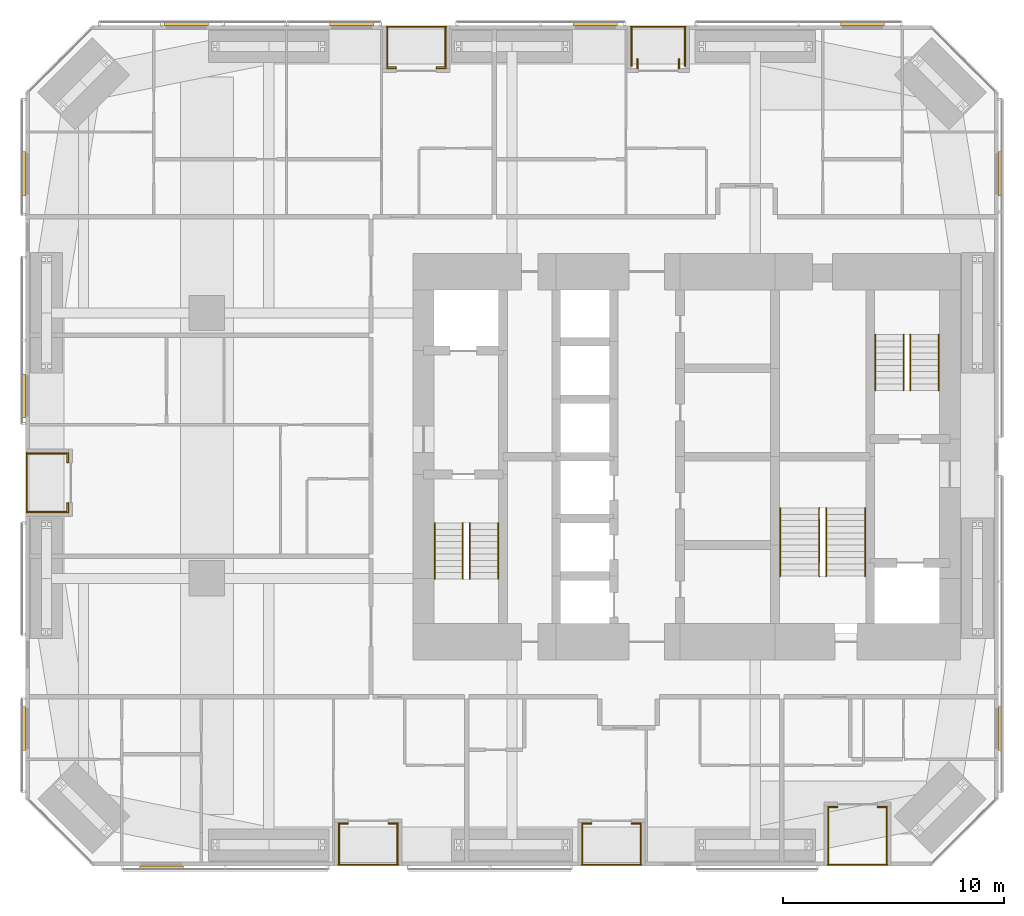
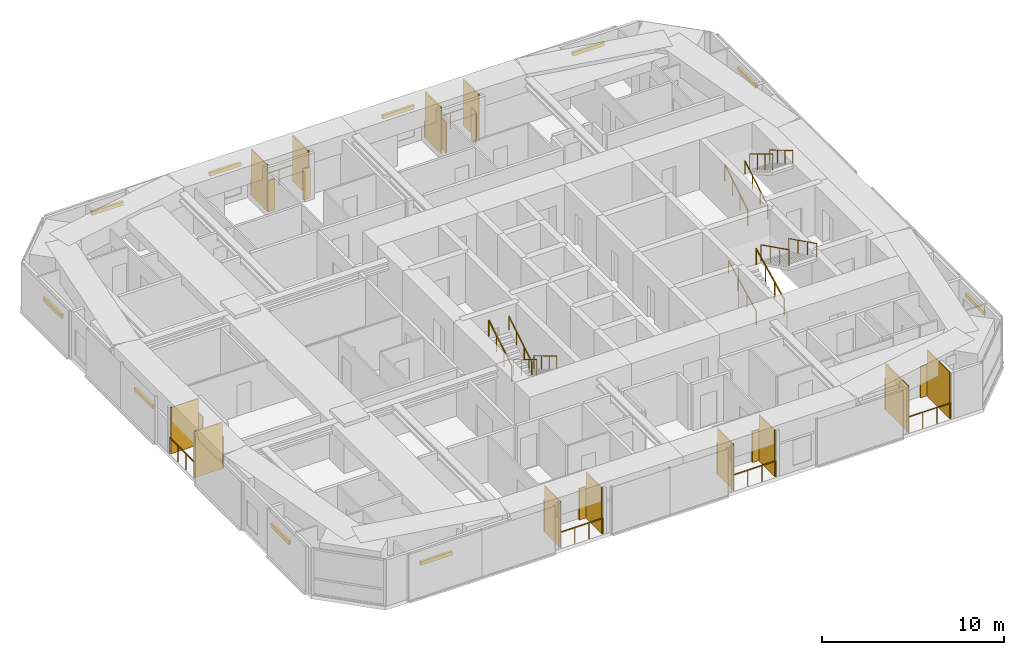
# One storey, part 23 of 23: 34 shading devices, 18 railings.
"""IFC4 building model written with IfcOpenShell, lengths in metres."""

from ifc_helpers import new_model, si_unit, direction, frame, origin, origin_2d, place, context, subcontext, project, spatial, rectangle, circle, extrude, material, layer, layer_set, constituent, constituent_set, type_object, element, save


model = new_model("IFC4")

# Units and contexts
model_context = context("Model", 3, precision=1e-05, world=origin(), true_north=direction((0.0, 1.0)))
body_context = subcontext(model_context, "Body", "Model", "MODEL_VIEW")
ifc_project = project(units=[si_unit("LENGTHUNIT", "METRE"), si_unit("AREAUNIT", "SQUARE_METRE"), si_unit("VOLUMEUNIT", "CUBIC_METRE"), si_unit("PLANEANGLEUNIT", "RADIAN"), si_unit("MASSUNIT", "GRAM", prefix="KILO")], contexts=[model_context])

# Site, building, storey
site_placement = place(None, origin())
site = spatial("IfcSite", under=ifc_project, at=site_placement, CompositionType="ELEMENT")
building_placement = place(site_placement, origin())
building = spatial("IfcBuilding", under=site, at=building_placement, Name="Jalousie Tower", CompositionType="ELEMENT")
storey_placement = place(building_placement, frame((0.0, 0.0, 41.10009765625)))
storey = spatial("IfcBuildingStorey", under=building, at=storey_placement, Name="L10", CompositionType="ELEMENT", Elevation=41.10009765625)

# Shading devices
ifc_material_1 = material(Name="Aluminium impact-rated louvred storm shutter", Category="aluminium")
shading_device_type_1 = type_object("IfcShadingDeviceType", Name="BI-FOLD STORM SHUTTER 900x2100", PredefinedType="SHUTTER", material=ifc_material_1)
for number, where, z_axis, x_axis, name in (
    (1, (16.375, 1.909912109375, -0.000244140625), (0.0, 0.0, 1.0), (1.0, 0.0, 0.0), "Loggia storm shutter L10"),
    (2, (18.625, 1.909912109375, -0.000244140625), (0.0, 0.0, 1.0), (1.0, 0.0, 0.0), "Loggia storm shutter L10"),
    (3, (27.375, 1.909912109375, -0.000244140625), (0.0, 0.0, 1.0), (1.0, 0.0, 0.0), "Loggia storm shutter L10"),
    (4, (29.625, 1.909912109375, -0.000244140625), (0.0, 0.0, 1.0), (1.0, 0.0, 0.0), "Loggia storm shutter L10"),
    (5, (38.5, 2.659912109375, -0.000244140625), (0.0, 0.0, 1.0), (1.0, 0.0, 0.0), "Loggia storm shutter L10"),
    (6, (40.75, 2.659912109375, -0.000244140625), (0.0, 0.0, 1.0), (1.0, 0.0, 0.0), "Loggia storm shutter L10"),
    (7, (31.552490234375, 36.27490234375, -0.000244140625), (0.0, 0.0, 1.0), (0.0, -1.0, 0.0), "Loggia storm shutter L10"),
    (8, (29.672607421875, 36.27490234375, -0.000244140625), (0.0, 0.0, 1.0), (0.0, -1.0, 0.0), "Loggia storm shutter L10"),
    (9, (20.800048828125, 36.090087890625, -0.000244140625), (0.0, 0.0, 1.0), (-1.0, 0.0, 0.0), "Loggia storm shutter L10"),
    (10, (18.550048828125, 36.090087890625, -0.000244140625), (0.0, 0.0, 1.0), (-1.0, 0.0, 0.0), "Loggia storm shutter L10"),
    (11, (3.909912109375, 18.449951171875, -0.000244140625), (0.0, 0.0, 1.0), (0.0, -1.0, 0.0), "Loggia storm shutter L10"),
    (12, (3.909912109375, 16.199951171875, -0.000244140625), (0.0, 0.0, 1.0), (0.0, -1.0, 0.0), "Loggia storm shutter L10"),
):
    element("IfcShadingDevice", number, at=place(storey_placement, frame(where, z_axis=z_axis, x_axis=x_axis)), inside=storey, type_object=shading_device_type_1, Name=name, PredefinedType="SHUTTER", context=body_context, shape_type="SweptSolid", body=[
        extrude(rectangle(XDim=0.449951171875, YDim=0.080078125, at=origin_2d()), origin(), (0.0, 0.0, 1.0), 2.10009765625),
    ])

# Railings
ifc_material_2 = material(Name="Powder-coated aluminium fretwork", Category="aluminium")
railing_type_1 = type_object("IfcRailingType", Name="FRETWORK BALUSTRADE 1100", PredefinedType="BALUSTRADE", material=ifc_material_2)
for number, where, name in (
    (13, (16.14990234375, 0.050048828125, 0.0), "Loggia fretwork balustrade L10"),
    (14, (27.14990234375, 0.050048828125, 0.0), "Loggia fretwork balustrade L10"),
    (15, (38.27490234375, 0.050048828125, 0.0), "Loggia fretwork balustrade L10"),
):
    element("IfcRailing", number, at=place(storey_placement, frame(where)), inside=storey, type_object=railing_type_1, Name=name, PredefinedType="BALUSTRADE", context=body_context, shape_type="SweptSolid", body=[
        extrude(rectangle(XDim=0.048095703125, YDim=0.048095703125, at=origin_2d()), frame((0.0, 0.0, 1.076171875), z_axis=(1.0, 0.0, 0.0), x_axis=(0.0, 1.0, 0.0)), (0.0, 0.0, 1.0), 2.7001953125),
        extrude(circle(Radius=0.02099609375, at=origin_2d()), origin(), (0.0, 0.0, 1.0), 1.052001953125),
        extrude(circle(Radius=0.02099609375, at=origin_2d()), frame((0.900146484375, 0.0, 0.0)), (0.0, 0.0, 1.0), 1.052001953125),
        extrude(circle(Radius=0.02099609375, at=origin_2d()), frame((1.800048828125, 0.0, 0.0)), (0.0, 0.0, 1.0), 1.052001953125),
        extrude(circle(Radius=0.02099609375, at=origin_2d()), frame((2.7001953125, 0.0, 0.0)), (0.0, 0.0, 1.0), 1.052001953125),
    ])
railing_1_placement = place(storey_placement, frame((31.85009765625, 37.949951171875, 0.0)))
element("IfcRailing", 16, at=railing_1_placement, inside=storey, type_object=railing_type_1, Name="Loggia fretwork balustrade L10", PredefinedType="BALUSTRADE", context=body_context, shape_type="SweptSolid", body=[
    extrude(rectangle(XDim=0.048095703125, YDim=0.048095703125, at=origin_2d()), frame((0.0, 0.0, 1.076171875), z_axis=(-1.0, 0.0, 0.0), x_axis=(0.0, -1.0, 0.0)), (0.0, 0.0, 1.0), 2.47509765625),
    extrude(circle(Radius=0.02099609375, at=origin_2d()), origin(), (0.0, 0.0, 1.0), 1.052001953125),
    extrude(circle(Radius=0.02099609375, at=origin_2d()), frame((-0.824951171875, 0.0, 0.0)), (0.0, 0.0, 1.0), 1.052001953125),
    extrude(circle(Radius=0.02099609375, at=origin_2d()), frame((-1.650146484375, 0.0, 0.0)), (0.0, 0.0, 1.0), 1.052001953125),
    extrude(circle(Radius=0.02099609375, at=origin_2d()), frame((-2.47509765625, 0.0, 0.0)), (0.0, 0.0, 1.0), 1.052001953125),
])
railing_2_placement = place(storey_placement, frame((21.02490234375, 37.949951171875, 0.0)))
element("IfcRailing", 17, at=railing_2_placement, inside=storey, type_object=railing_type_1, Name="Loggia fretwork balustrade L10", PredefinedType="BALUSTRADE", context=body_context, shape_type="SweptSolid", body=[
    extrude(rectangle(XDim=0.048095703125, YDim=0.048095703125, at=origin_2d()), frame((0.0, 0.0, 1.076171875), z_axis=(-1.0, 0.0, 0.0), x_axis=(0.0, -1.0, 0.0)), (0.0, 0.0, 1.0), 2.699951171875),
    extrude(circle(Radius=0.02099609375, at=origin_2d()), origin(), (0.0, 0.0, 1.0), 1.052001953125),
    extrude(circle(Radius=0.02099609375, at=origin_2d()), frame((-0.89990234375, 0.0, 0.0)), (0.0, 0.0, 1.0), 1.052001953125),
    extrude(circle(Radius=0.02099609375, at=origin_2d()), frame((-1.800048828125, 0.0, 0.0)), (0.0, 0.0, 1.0), 1.052001953125),
    extrude(circle(Radius=0.02099609375, at=origin_2d()), frame((-2.699951171875, 0.0, 0.0)), (0.0, 0.0, 1.0), 1.052001953125),
])
railing_3_placement = place(storey_placement, frame((2.050048828125, 18.675048828125, 0.0)))
element("IfcRailing", 18, at=railing_3_placement, inside=storey, type_object=railing_type_1, Name="Loggia fretwork balustrade L10", PredefinedType="BALUSTRADE", context=body_context, shape_type="SweptSolid", body=[
    extrude(rectangle(XDim=0.048095703125, YDim=0.048095703125, at=origin_2d()), frame((0.0, 0.0, 1.076171875), z_axis=(0.0, -1.0, 0.0), x_axis=(1.0, 0.0, 0.0)), (0.0, 0.0, 1.0), 2.699951171875),
    extrude(circle(Radius=0.02099609375, at=origin_2d()), origin(), (0.0, 0.0, 1.0), 1.052001953125),
    extrude(circle(Radius=0.02099609375, at=origin_2d()), frame((0.0, -0.89990234375, 0.0)), (0.0, 0.0, 1.0), 1.052001953125),
    extrude(circle(Radius=0.02099609375, at=origin_2d()), frame((0.0, -1.800048828125, 0.0)), (0.0, 0.0, 1.0), 1.052001953125),
    extrude(circle(Radius=0.02099609375, at=origin_2d()), frame((0.0, -2.699951171875, 0.0)), (0.0, 0.0, 1.0), 1.052001953125),
])

# Shading devices
ifc_material_3 = material(Name="Powder-coated aluminium louvres", Category="aluminium")
ifc_layer = layer(ifc_material_3, 0.06005859375)
ifc_layer_set = layer_set([ifc_layer], Name="Powder-coated aluminium louvres")
shading_device_type_2 = type_object("IfcShadingDeviceType", Name="JALOUSIE LOUVRE SCREEN", PredefinedType="JALOUSIE", material=ifc_layer_set)
for number, where, z_axis, x_axis, name in (
    (19, (16.179931640625, 0.97509765625, 0.0), (0.0, 0.0, 1.0), (1.0, 0.0, 0.0), "Loggia jalousie louvre screen L10"),
    (20, (18.820068359375, 0.97509765625, 0.0), (0.0, 0.0, 1.0), (1.0, 0.0, 0.0), "Loggia jalousie louvre screen L10"),
    (21, (27.179931640625, 0.97509765625, 0.0), (0.0, 0.0, 1.0), (1.0, 0.0, 0.0), "Loggia jalousie louvre screen L10"),
    (22, (29.820068359375, 0.97509765625, 0.0), (0.0, 0.0, 1.0), (1.0, 0.0, 0.0), "Loggia jalousie louvre screen L10"),
):
    element("IfcShadingDevice", number, at=place(storey_placement, frame(where, z_axis=z_axis, x_axis=x_axis)), inside=storey, type_object=shading_device_type_2, Name=name, PredefinedType="JALOUSIE", context=body_context, shape_type="SweptSolid", body=[
        extrude(rectangle(XDim=0.06005859375, YDim=1.75, at=origin_2d()), origin(), (0.0, 0.0, 1.0), 3.110107421875),
    ])
for number, where, z_axis, x_axis, name in (
    (23, (38.304931640625, 1.35009765625, 0.0), (0.0, 0.0, 1.0), (1.0, 0.0, 0.0), "Loggia jalousie louvre screen L10"),
    (24, (40.945068359375, 1.35009765625, 0.0), (0.0, 0.0, 1.0), (1.0, 0.0, 0.0), "Loggia jalousie louvre screen L10"),
):
    element("IfcShadingDevice", number, at=place(storey_placement, frame(where, z_axis=z_axis, x_axis=x_axis)), inside=storey, type_object=shading_device_type_2, Name=name, PredefinedType="JALOUSIE", context=body_context, shape_type="SweptSolid", body=[
        extrude(rectangle(XDim=0.06005859375, YDim=2.5, at=origin_2d()), origin(), (0.0, 0.0, 1.0), 3.110107421875),
    ])
for number, where, z_axis, x_axis, name in (
    (25, (31.820068359375, 37.02490234375, 0.0), (0.0, 0.0, 1.0), (-1.0, 0.0, 0.0), "Loggia jalousie louvre screen L10"),
    (26, (29.405029296875, 37.02490234375, 0.0), (0.0, 0.0, 1.0), (-1.0, 0.0, 0.0), "Loggia jalousie louvre screen L10"),
    (27, (20.9951171875, 37.02490234375, 0.0), (0.0, 0.0, 1.0), (-1.0, 0.0, 0.0), "Loggia jalousie louvre screen L10"),
    (28, (18.35498046875, 37.02490234375, 0.0), (0.0, 0.0, 1.0), (-1.0, 0.0, 0.0), "Loggia jalousie louvre screen L10"),
    (29, (2.97509765625, 18.64501953125, 0.0), (0.0, 0.0, 1.0), (0.0, -1.0, 0.0), "Loggia jalousie louvre screen L10"),
    (30, (2.97509765625, 16.0048828125, 0.0), (0.0, 0.0, 1.0), (0.0, -1.0, 0.0), "Loggia jalousie louvre screen L10"),
):
    element("IfcShadingDevice", number, at=place(storey_placement, frame(where, z_axis=z_axis, x_axis=x_axis)), inside=storey, type_object=shading_device_type_2, Name=name, PredefinedType="JALOUSIE", context=body_context, shape_type="SweptSolid", body=[
        extrude(rectangle(XDim=0.06005859375, YDim=1.75, at=origin_2d()), origin(), (0.0, 0.0, 1.0), 3.110107421875),
    ])

# Railings
ifc_material_4 = material(Name="Steel ASTM A500 Grade C", Category="steel")
ifc_constituent_1 = constituent(ifc_material_4, Name="Body")
ifc_material_5 = material(Name="Hot-dip galvanised zinc coating")
ifc_constituent_2 = constituent(ifc_material_5, Name="Finish")
ifc_constituent_set_1 = constituent_set(constituents=[ifc_constituent_1, ifc_constituent_2])
railing_type_2 = type_object("IfcRailingType", Name="STAIR GUARD 1100", PredefinedType="GUARDRAIL", material=ifc_constituent_set_1)
railing_4_placement = place(storey_placement, frame((22.092529296875, 15.49755859375, 0.16748046875)))
element("IfcRailing", 31, at=railing_4_placement, inside=storey, type_object=railing_type_2, Name="Exit stair A guard L10 flight 1", PredefinedType="GUARDRAIL", context=body_context, shape_type="SweptSolid", body=[
    extrude(rectangle(XDim=0.048095703125, YDim=0.048095703125, at=origin_2d()), frame((0.0, 0.0, 1.076171875), z_axis=(0.0, -0.858196387827, 0.513321497621), x_axis=(1.0, 0.0, 0.0)), (0.0, 0.0, 1.0), 2.9365234375),
    extrude(circle(Radius=0.02099609375, at=origin_2d()), origin(), (0.0, 0.0, 1.0), 1.052001953125),
    extrude(circle(Radius=0.02099609375, at=origin_2d()), frame((0.0, -0.840087890625, 0.50244140625)), (0.0, 0.0, 1.0), 1.052001953125),
    extrude(circle(Radius=0.02099609375, at=origin_2d()), frame((0.0, -1.679931640625, 1.0048828125)), (0.0, 0.0, 1.0), 1.052001953125),
    extrude(circle(Radius=0.02099609375, at=origin_2d()), frame((0.0, -2.52001953125, 1.50732421875)), (0.0, 0.0, 1.0), 1.052001953125),
])
railing_5_placement = place(storey_placement, frame((20.5048828125, 12.9775390625, 1.84228515625)))
element("IfcRailing", 32, at=railing_5_placement, inside=storey, type_object=railing_type_2, Name="Exit stair A guard L10 flight 2", PredefinedType="GUARDRAIL", context=body_context, shape_type="SweptSolid", body=[
    extrude(rectangle(XDim=0.048095703125, YDim=0.048095703125, at=origin_2d()), frame((0.0, 0.0, 1.076171875), z_axis=(0.0, 0.858159760407, 0.513382728203), x_axis=(-1.0, 0.0, 0.0)), (0.0, 0.0, 1.0), 2.9365234375),
    extrude(circle(Radius=0.02099609375, at=origin_2d()), origin(), (0.0, 0.0, 1.0), 1.052001953125),
    extrude(circle(Radius=0.02099609375, at=origin_2d()), frame((0.0, 0.840087890625, 0.50244140625)), (0.0, 0.0, 1.0), 1.052001953125),
    extrude(circle(Radius=0.02099609375, at=origin_2d()), frame((0.0, 1.679931640625, 1.005126953125)), (0.0, 0.0, 1.0), 1.052001953125),
    extrude(circle(Radius=0.02099609375, at=origin_2d()), frame((0.0, 2.52001953125, 1.507568359375)), (0.0, 0.0, 1.0), 1.052001953125),
])
railing_6_placement = place(storey_placement, frame((40.43017578125, 21.50244140625, 0.16748046875)))
element("IfcRailing", 33, at=railing_6_placement, inside=storey, type_object=railing_type_2, Name="Exit stair B guard L10 flight 1", PredefinedType="GUARDRAIL", context=body_context, shape_type="SweptSolid", body=[
    extrude(rectangle(XDim=0.048095703125, YDim=0.048095703125, at=origin_2d()), frame((0.0, 0.0, 1.076171875), z_axis=(0.0, 0.858196387827, 0.513321497621), x_axis=(-1.0, 0.0, 0.0)), (0.0, 0.0, 1.0), 2.9365234375),
    extrude(circle(Radius=0.02099609375, at=origin_2d()), origin(), (0.0, 0.0, 1.0), 1.052001953125),
    extrude(circle(Radius=0.02099609375, at=origin_2d()), frame((0.0, 0.840087890625, 0.50244140625)), (0.0, 0.0, 1.0), 1.052001953125),
    extrude(circle(Radius=0.02099609375, at=origin_2d()), frame((0.0, 1.679931640625, 1.0048828125)), (0.0, 0.0, 1.0), 1.052001953125),
    extrude(circle(Radius=0.02099609375, at=origin_2d()), frame((0.0, 2.52001953125, 1.50732421875)), (0.0, 0.0, 1.0), 1.052001953125),
])
railing_7_placement = place(storey_placement, frame((42.017578125, 24.0224609375, 1.84228515625)))
element("IfcRailing", 34, at=railing_7_placement, inside=storey, type_object=railing_type_2, Name="Exit stair B guard L10 flight 2", PredefinedType="GUARDRAIL", context=body_context, shape_type="SweptSolid", body=[
    extrude(rectangle(XDim=0.048095703125, YDim=0.048095703125, at=origin_2d()), frame((0.0, 0.0, 1.076171875), z_axis=(0.0, -0.858159760407, 0.513382728203), x_axis=(1.0, 0.0, 0.0)), (0.0, 0.0, 1.0), 2.9365234375),
    extrude(circle(Radius=0.02099609375, at=origin_2d()), origin(), (0.0, 0.0, 1.0), 1.052001953125),
    extrude(circle(Radius=0.02099609375, at=origin_2d()), frame((0.0, -0.840087890625, 0.50244140625)), (0.0, 0.0, 1.0), 1.052001953125),
    extrude(circle(Radius=0.02099609375, at=origin_2d()), frame((0.0, -1.679931640625, 1.005126953125)), (0.0, 0.0, 1.0), 1.052001953125),
    extrude(circle(Radius=0.02099609375, at=origin_2d()), frame((0.0, -2.52001953125, 1.507568359375)), (0.0, 0.0, 1.0), 1.052001953125),
])
railing_8_placement = place(storey_placement, frame((37.89501953125, 13.097412109375, 0.139404296875)))
element("IfcRailing", 35, at=railing_8_placement, inside=storey, type_object=railing_type_2, Name="Exit stair C guard L10 flight 1", PredefinedType="GUARDRAIL", context=body_context, shape_type="SweptSolid", body=[
    extrude(rectangle(XDim=0.048095703125, YDim=0.048095703125, at=origin_2d()), frame((0.0, 0.0, 1.076171875), z_axis=(0.0, 0.894965676997, 0.446134998624), x_axis=(-1.0, 0.0, 0.0)), (0.0, 0.0, 1.0), 3.441650390625),
    extrude(circle(Radius=0.02099609375, at=origin_2d()), origin(), (0.0, 0.0, 1.0), 1.052001953125),
    extrude(circle(Radius=0.02099609375, at=origin_2d()), frame((0.0, 1.026611328125, 0.51171875)), (0.0, 0.0, 1.0), 1.052001953125),
    extrude(circle(Radius=0.02099609375, at=origin_2d()), frame((0.0, 2.053466796875, 1.023681640625)), (0.0, 0.0, 1.0), 1.052001953125),
    extrude(circle(Radius=0.02099609375, at=origin_2d()), frame((0.0, 3.080078125, 1.535400390625)), (0.0, 0.0, 1.0), 1.052001953125),
])
railing_9_placement = place(storey_placement, frame((38.205078125, 16.177490234375, 1.814453125)))
element("IfcRailing", 36, at=railing_9_placement, inside=storey, type_object=railing_type_2, Name="Exit stair C guard L10 flight 2", PredefinedType="GUARDRAIL", context=body_context, shape_type="SweptSolid", body=[
    extrude(rectangle(XDim=0.048095703125, YDim=0.048095703125, at=origin_2d()), frame((0.0, 0.0, 1.076171875), z_axis=(0.0, -0.894965676997, 0.446134998624), x_axis=(1.0, 0.0, 0.0)), (0.0, 0.0, 1.0), 3.441650390625),
    extrude(circle(Radius=0.02099609375, at=origin_2d()), origin(), (0.0, 0.0, 1.0), 1.052001953125),
    extrude(circle(Radius=0.02099609375, at=origin_2d()), frame((0.0, -1.026611328125, 0.51171875)), (0.0, 0.0, 1.0), 1.052001953125),
    extrude(circle(Radius=0.02099609375, at=origin_2d()), frame((0.0, -2.053466796875, 1.023681640625)), (0.0, 0.0, 1.0), 1.052001953125),
    extrude(circle(Radius=0.02099609375, at=origin_2d()), frame((0.0, -3.080078125, 1.535400390625)), (0.0, 0.0, 1.0), 1.052001953125),
])
ifc_material_6 = material(Name="Steel ASTM A500 Grade C", Category="steel")
ifc_constituent_3 = constituent(ifc_material_6, Name="Body")
ifc_material_7 = material(Name="Hot-dip galvanised zinc coating")
ifc_constituent_4 = constituent(ifc_material_7, Name="Finish")
ifc_constituent_set_2 = constituent_set(constituents=[ifc_constituent_3, ifc_constituent_4])
railing_type_3 = type_object("IfcRailingType", Name="STAIR HANDRAIL 900", PredefinedType="HANDRAIL", material=ifc_constituent_set_2)
railing_10_placement = place(storey_placement, frame((23.3701171875, 15.49755859375, 0.16748046875)))
element("IfcRailing", 37, at=railing_10_placement, inside=storey, type_object=railing_type_3, Name="Exit stair A handrail L10 flight 1", PredefinedType="HANDRAIL", context=body_context, shape_type="SweptSolid", body=[
    extrude(circle(Radius=0.02392578125, at=origin_2d()), frame((0.0, 0.0, 0.8759765625), z_axis=(0.0, -0.858196387827, 0.513321497621), x_axis=(1.0, 0.0, 0.0)), (0.0, 0.0, 1.0), 2.9365234375),
    extrude(circle(Radius=0.02099609375, at=origin_2d()), origin(), (0.0, 0.0, 1.0), 0.851806640625),
    extrude(circle(Radius=0.02099609375, at=origin_2d()), frame((0.0, -0.840087890625, 0.50244140625)), (0.0, 0.0, 1.0), 0.851806640625),
    extrude(circle(Radius=0.02099609375, at=origin_2d()), frame((0.0, -1.679931640625, 1.0048828125)), (0.0, 0.0, 1.0), 0.851806640625),
    extrude(circle(Radius=0.02099609375, at=origin_2d()), frame((0.0, -2.52001953125, 1.50732421875)), (0.0, 0.0, 1.0), 0.851806640625),
])
railing_11_placement = place(storey_placement, frame((21.78271484375, 12.9775390625, 1.84228515625)))
element("IfcRailing", 38, at=railing_11_placement, inside=storey, type_object=railing_type_3, Name="Exit stair A handrail L10 flight 2", PredefinedType="HANDRAIL", context=body_context, shape_type="SweptSolid", body=[
    extrude(circle(Radius=0.02392578125, at=origin_2d()), frame((0.0, 0.0, 0.8759765625), z_axis=(0.0, 0.858159760407, 0.513382728203), x_axis=(-1.0, 0.0, 0.0)), (0.0, 0.0, 1.0), 2.9365234375),
    extrude(circle(Radius=0.02099609375, at=origin_2d()), origin(), (0.0, 0.0, 1.0), 0.851806640625),
    extrude(circle(Radius=0.02099609375, at=origin_2d()), frame((0.0, 0.840087890625, 0.50244140625)), (0.0, 0.0, 1.0), 0.851806640625),
    extrude(circle(Radius=0.02099609375, at=origin_2d()), frame((0.0, 1.679931640625, 1.005126953125)), (0.0, 0.0, 1.0), 0.851806640625),
    extrude(circle(Radius=0.02099609375, at=origin_2d()), frame((0.0, 2.52001953125, 1.507568359375)), (0.0, 0.0, 1.0), 0.851806640625),
])
railing_12_placement = place(storey_placement, frame((41.70751953125, 21.50244140625, 0.16748046875)))
element("IfcRailing", 39, at=railing_12_placement, inside=storey, type_object=railing_type_3, Name="Exit stair B handrail L10 flight 1", PredefinedType="HANDRAIL", context=body_context, shape_type="SweptSolid", body=[
    extrude(circle(Radius=0.02392578125, at=origin_2d()), frame((0.0, 0.0, 0.8759765625), z_axis=(0.0, 0.858196387827, 0.513321497621), x_axis=(-1.0, 0.0, 0.0)), (0.0, 0.0, 1.0), 2.9365234375),
    extrude(circle(Radius=0.02099609375, at=origin_2d()), origin(), (0.0, 0.0, 1.0), 0.851806640625),
    extrude(circle(Radius=0.02099609375, at=origin_2d()), frame((0.0, 0.840087890625, 0.50244140625)), (0.0, 0.0, 1.0), 0.851806640625),
    extrude(circle(Radius=0.02099609375, at=origin_2d()), frame((0.0, 1.679931640625, 1.0048828125)), (0.0, 0.0, 1.0), 0.851806640625),
    extrude(circle(Radius=0.02099609375, at=origin_2d()), frame((0.0, 2.52001953125, 1.50732421875)), (0.0, 0.0, 1.0), 0.851806640625),
])
railing_13_placement = place(storey_placement, frame((43.294921875, 24.0224609375, 1.84228515625)))
element("IfcRailing", 40, at=railing_13_placement, inside=storey, type_object=railing_type_3, Name="Exit stair B handrail L10 flight 2", PredefinedType="HANDRAIL", context=body_context, shape_type="SweptSolid", body=[
    extrude(circle(Radius=0.02392578125, at=origin_2d()), frame((0.0, 0.0, 0.8759765625), z_axis=(0.0, -0.858159760407, 0.513382728203), x_axis=(1.0, 0.0, 0.0)), (0.0, 0.0, 1.0), 2.9365234375),
    extrude(circle(Radius=0.02099609375, at=origin_2d()), origin(), (0.0, 0.0, 1.0), 0.851806640625),
    extrude(circle(Radius=0.02099609375, at=origin_2d()), frame((0.0, -0.840087890625, 0.50244140625)), (0.0, 0.0, 1.0), 0.851806640625),
    extrude(circle(Radius=0.02099609375, at=origin_2d()), frame((0.0, -1.679931640625, 1.005126953125)), (0.0, 0.0, 1.0), 0.851806640625),
    extrude(circle(Radius=0.02099609375, at=origin_2d()), frame((0.0, -2.52001953125, 1.507568359375)), (0.0, 0.0, 1.0), 0.851806640625),
])
railing_14_placement = place(storey_placement, frame((36.1298828125, 13.097412109375, 0.139404296875)))
element("IfcRailing", 41, at=railing_14_placement, inside=storey, type_object=railing_type_3, Name="Exit stair C handrail L10 flight 1", PredefinedType="HANDRAIL", context=body_context, shape_type="SweptSolid", body=[
    extrude(circle(Radius=0.02392578125, at=origin_2d()), frame((0.0, 0.0, 0.8759765625), z_axis=(0.0, 0.894965676997, 0.446134998624), x_axis=(-1.0, 0.0, 0.0)), (0.0, 0.0, 1.0), 3.441650390625),
    extrude(circle(Radius=0.02099609375, at=origin_2d()), origin(), (0.0, 0.0, 1.0), 0.851806640625),
    extrude(circle(Radius=0.02099609375, at=origin_2d()), frame((0.0, 1.026611328125, 0.51171875)), (0.0, 0.0, 1.0), 0.851806640625),
    extrude(circle(Radius=0.02099609375, at=origin_2d()), frame((0.0, 2.053466796875, 1.023681640625)), (0.0, 0.0, 1.0), 0.851806640625),
    extrude(circle(Radius=0.02099609375, at=origin_2d()), frame((0.0, 3.080078125, 1.535400390625)), (0.0, 0.0, 1.0), 0.851806640625),
])
railing_15_placement = place(storey_placement, frame((39.969970703125, 16.177490234375, 1.814453125)))
element("IfcRailing", 42, at=railing_15_placement, inside=storey, type_object=railing_type_3, Name="Exit stair C handrail L10 flight 2", PredefinedType="HANDRAIL", context=body_context, shape_type="SweptSolid", body=[
    extrude(circle(Radius=0.02392578125, at=origin_2d()), frame((0.0, 0.0, 0.8759765625), z_axis=(0.0, -0.894965676997, 0.446134998624), x_axis=(1.0, 0.0, 0.0)), (0.0, 0.0, 1.0), 3.441650390625),
    extrude(circle(Radius=0.02099609375, at=origin_2d()), origin(), (0.0, 0.0, 1.0), 0.851806640625),
    extrude(circle(Radius=0.02099609375, at=origin_2d()), frame((0.0, -1.026611328125, 0.51171875)), (0.0, 0.0, 1.0), 0.851806640625),
    extrude(circle(Radius=0.02099609375, at=origin_2d()), frame((0.0, -2.053466796875, 1.023681640625)), (0.0, 0.0, 1.0), 0.851806640625),
    extrude(circle(Radius=0.02099609375, at=origin_2d()), frame((0.0, -3.080078125, 1.535400390625)), (0.0, 0.0, 1.0), 0.851806640625),
])

# Shading devices
ifc_material_8 = material(Name="Aluminium roller storm shutter", Category="aluminium")
shading_device_type_3 = type_object("IfcShadingDeviceType", Name="STORM SHUTTER HOUSING", PredefinedType="SHUTTER", material=ifc_material_8)
for number, where, z_axis, x_axis, name in (
    (43, (8.14990234375, -0.074951171875, 2.099853515625), (0.0, 0.0, 1.0), (1.0, 0.0, 0.0), "Storm shutter L10"),
    (44, (46.074951171875, 6.208740234375, 2.099853515625), (0.0, 0.0, 1.0), (0.0, 1.0, 0.0), "Storm shutter L10"),
    (45, (46.074951171875, 31.291259765625, 2.099853515625), (0.0, 0.0, 1.0), (0.0, 1.0, 0.0), "Storm shutter L10"),
    (46, (39.85009765625, 38.074951171875, 2.099853515625), (0.0, 0.0, 1.0), (-1.0, 0.0, 0.0), "Storm shutter L10"),
    (47, (27.76611328125, 38.074951171875, 2.099853515625), (0.0, 0.0, 1.0), (-1.0, 0.0, 0.0), "Storm shutter L10"),
    (48, (16.757568359375, 38.074951171875, 2.099853515625), (0.0, 0.0, 1.0), (-1.0, 0.0, 0.0), "Storm shutter L10"),
    (49, (9.27001953125, 38.074951171875, 2.099853515625), (0.0, 0.0, 1.0), (-1.0, 0.0, 0.0), "Storm shutter L10"),
    (50, (1.925048828125, 31.291259765625, 2.099853515625), (0.0, 0.0, 1.0), (0.0, -1.0, 0.0), "Storm shutter L10"),
    (51, (1.925048828125, 21.25, 2.099853515625), (0.0, 0.0, 1.0), (0.0, -1.0, 0.0), "Storm shutter L10"),
    (52, (1.925048828125, 6.208740234375, 2.099853515625), (0.0, 0.0, 1.0), (0.0, -1.0, 0.0), "Storm shutter L10"),
):
    element("IfcShadingDevice", number, at=place(storey_placement, frame(where, z_axis=z_axis, x_axis=x_axis)), inside=storey, type_object=shading_device_type_3, Name=name, PredefinedType="SHUTTER", context=body_context, shape_type="SweptSolid", body=[
        extrude(rectangle(XDim=2.0, YDim=0.14990234375, at=origin_2d()), origin(), (0.0, 0.0, 1.0), 0.25),
    ])

save(model, "model.ifc")
